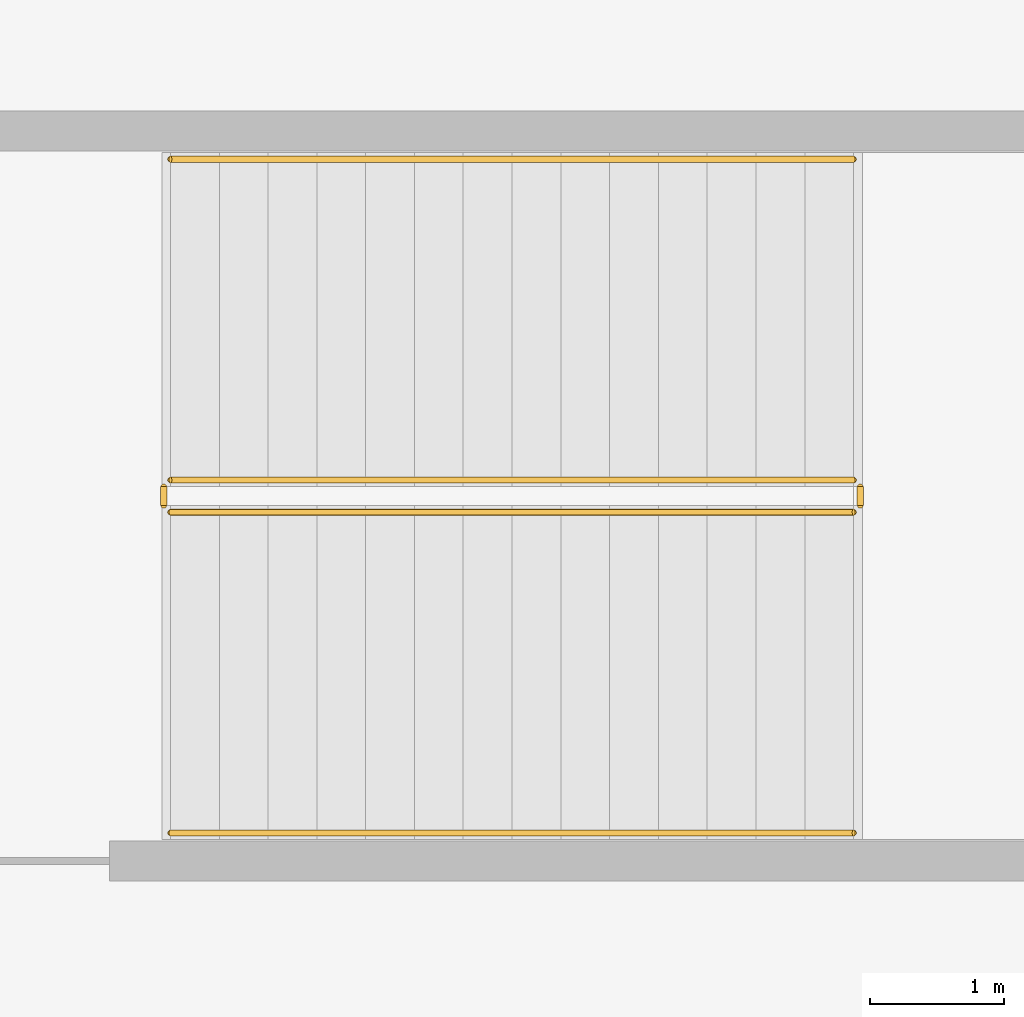
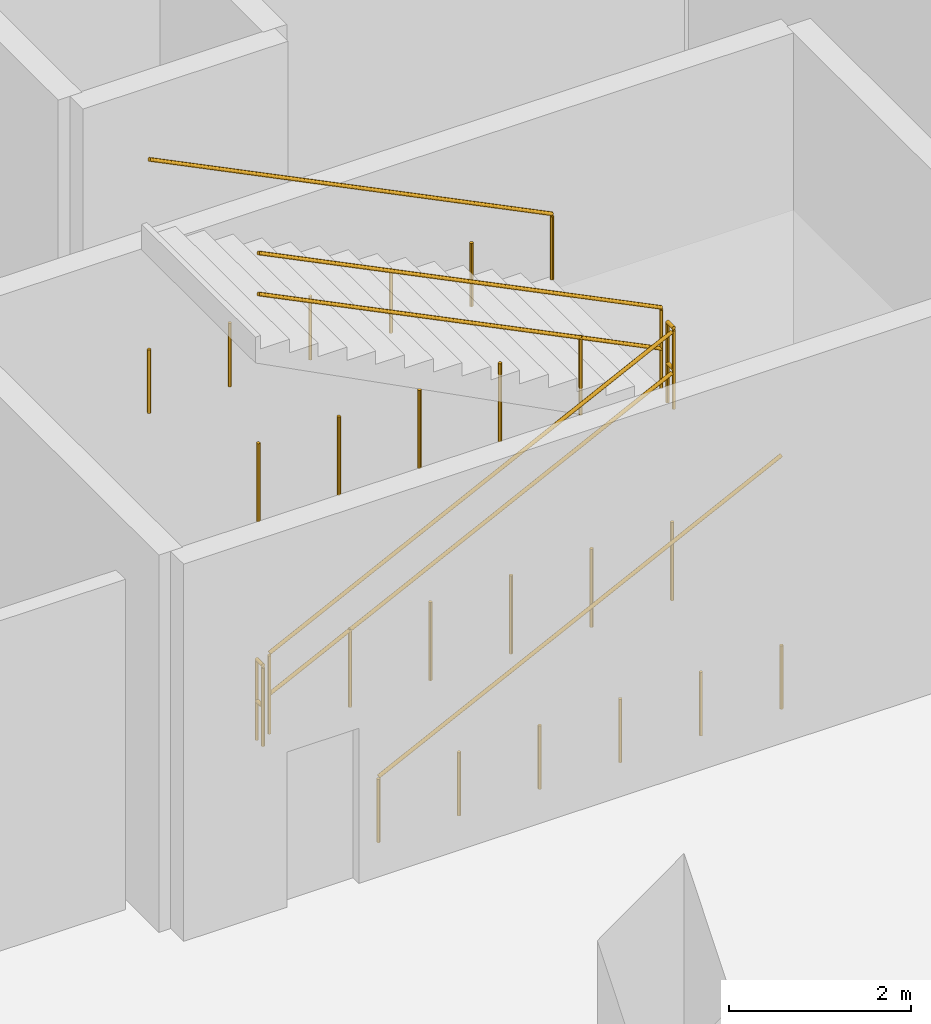
# One storey, part 43 of 44: 6 railings.
"""IFC4 building model written with IfcOpenShell, lengths in metres."""

from ifc_helpers import new_model, si_unit, direction, frame, origin, origin_2d, place, context, subcontext, project, spatial, circle, extrude, material, type_object, element, save


model = new_model("IFC4")

# Units and contexts
model_context = context("Model", 3, precision=1e-05, world=origin(), true_north=direction((0.0, 1.0)))
body_context = subcontext(model_context, "Body", "Model", "MODEL_VIEW")
ifc_project = project(units=[si_unit("LENGTHUNIT", "METRE"), si_unit("AREAUNIT", "SQUARE_METRE"), si_unit("VOLUMEUNIT", "CUBIC_METRE"), si_unit("PLANEANGLEUNIT", "RADIAN"), si_unit("MASSUNIT", "GRAM", prefix="KILO")], contexts=[model_context])

# Site, building, storey
site_placement = place(None, origin())
site = spatial("IfcSite", under=ifc_project, at=site_placement, CompositionType="ELEMENT")
building_placement = place(site_placement, origin())
building = spatial("IfcBuilding", under=site, at=building_placement, Name="Danafjord Basin Convention Centre", CompositionType="ELEMENT")
storey_placement = place(building_placement, frame((0.0, 0.0, -5.39990234375)))
storey = spatial("IfcBuildingStorey", under=building, at=storey_placement, Name="B1", CompositionType="ELEMENT", Elevation=-5.39990234375)

# Railings
ifc_material_1 = material(Name="Galvanised steel S355", Category="steel")
railing_type_1 = type_object("IfcRailingType", Name="RL-GD-WELL", PredefinedType="BALUSTRADE", material=ifc_material_1)
railing_1_placement = place(storey_placement, frame((191.47998046875, 119.81005859375, 0.179931640625)))
element("IfcRailing", 1, at=railing_1_placement, inside=storey, type_object=railing_type_1, Name="B1 ST-11 stair guard 1", PredefinedType="BALUSTRADE", context=body_context, shape_type="SweptSolid", body=[
    extrude(circle(Radius=0.02392578125, at=origin_2d()), frame((0.0, 0.0, 1.076171875), z_axis=(0.896873198966, 0.0, 0.442287762635), x_axis=(0.0, 1.0, 0.0)), (0.0, 0.0, 1.0), 5.69775390625),
    extrude(circle(Radius=0.02392578125, at=origin_2d()), frame((0.0, 0.0, 0.52587890625), z_axis=(0.896873198966, 0.0, 0.442287762635), x_axis=(0.0, 1.0, 0.0)), (0.0, 0.0, 1.0), 5.69775390625),
    extrude(circle(Radius=0.02099609375, at=origin_2d()), origin(), (0.0, 0.0, 1.0), 1.050048828125),
    extrude(circle(Radius=0.02099609375, at=origin_2d()), frame((1.02197265625, 0.0, 0.0)), (0.0, 0.0, 1.0), 1.050048828125),
    extrude(circle(Radius=0.02099609375, at=origin_2d()), frame((2.0439453125, 0.0, 0.0)), (0.0, 0.0, 1.0), 1.050048828125),
    extrude(circle(Radius=0.02099609375, at=origin_2d()), frame((3.066162109375, 0.0, 0.0)), (0.0, 0.0, 1.0), 1.050048828125),
    extrude(circle(Radius=0.02099609375, at=origin_2d()), frame((4.088134765625, 0.0, 0.0)), (0.0, 0.0, 1.0), 1.050048828125),
    extrude(circle(Radius=0.02099609375, at=origin_2d()), frame((5.110107421875, 0.0, 0.0)), (0.0, 0.0, 1.0), 1.050048828125),
])
railing_2_placement = place(storey_placement, frame((196.639892578125, 119.860107421875, 2.699951171875)))
element("IfcRailing", 2, at=railing_2_placement, inside=storey, type_object=railing_type_1, Name="B1 ST-11 stair guard 2", PredefinedType="BALUSTRADE", context=body_context, shape_type="SweptSolid", body=[
    extrude(circle(Radius=0.02392578125, at=origin_2d()), frame((0.0, 0.0, 1.076171875), z_axis=(0.0, 1.0, 0.0), x_axis=(-1.0, 0.0, 0.0)), (0.0, 0.0, 1.0), 0.139892578125),
    extrude(circle(Radius=0.02392578125, at=origin_2d()), frame((0.0, 0.0, 0.52587890625), z_axis=(0.0, 1.0, 0.0), x_axis=(-1.0, 0.0, 0.0)), (0.0, 0.0, 1.0), 0.139892578125),
    extrude(circle(Radius=0.02099609375, at=origin_2d()), origin(), (0.0, 0.0, 1.0), 1.050048828125),
    extrude(circle(Radius=0.02099609375, at=origin_2d()), frame((0.0, 0.139892578125, 0.0)), (0.0, 0.0, 1.0), 1.050048828125),
])
railing_3_placement = place(storey_placement, frame((196.590087890625, 120.050048828125, 2.8798828125)))
element("IfcRailing", 3, at=railing_3_placement, inside=storey, type_object=railing_type_1, Name="B1 ST-11 stair guard 3", PredefinedType="BALUSTRADE", context=body_context, shape_type="SweptSolid", body=[
    extrude(circle(Radius=0.02392578125, at=origin_2d()), frame((0.0, 0.0, 1.076171875), z_axis=(-0.896873198966, 0.0, 0.442287762635), x_axis=(0.0, -1.0, 0.0)), (0.0, 0.0, 1.0), 5.69775390625),
    extrude(circle(Radius=0.02392578125, at=origin_2d()), frame((0.0, 0.0, 0.52587890625), z_axis=(-0.896873198966, 0.0, 0.442287762635), x_axis=(0.0, -1.0, 0.0)), (0.0, 0.0, 1.0), 5.69775390625),
    extrude(circle(Radius=0.02099609375, at=origin_2d()), origin(), (0.0, 0.0, 1.0), 1.050048828125),
    extrude(circle(Radius=0.02099609375, at=origin_2d()), frame((-1.02197265625, 0.0, 0.0)), (0.0, 0.0, 1.0), 1.050048828125),
    extrude(circle(Radius=0.02099609375, at=origin_2d()), frame((-2.0439453125, 0.0, 0.0)), (0.0, 0.0, 1.0), 1.050048828125),
    extrude(circle(Radius=0.02099609375, at=origin_2d()), frame((-3.066162109375, 0.0, 0.0)), (0.0, 0.0, 1.0), 1.050048828125),
    extrude(circle(Radius=0.02099609375, at=origin_2d()), frame((-4.088134765625, 0.0, 0.0)), (0.0, 0.0, 1.0), 1.050048828125),
    extrude(circle(Radius=0.02099609375, at=origin_2d()), frame((-5.110107421875, 0.0, 0.0)), (0.0, 0.0, 1.0), 1.050048828125),
])
railing_4_placement = place(storey_placement, frame((191.429931640625, 119.860107421875, 0.0)))
element("IfcRailing", 4, at=railing_4_placement, inside=storey, type_object=railing_type_1, Name="B1 ST-11 stair guard 4", PredefinedType="BALUSTRADE", context=body_context, shape_type="SweptSolid", body=[
    extrude(circle(Radius=0.02392578125, at=origin_2d()), frame((0.0, 0.0, 1.076171875), z_axis=(0.0, 1.0, 0.0), x_axis=(-1.0, 0.0, 0.0)), (0.0, 0.0, 1.0), 0.139892578125),
    extrude(circle(Radius=0.02392578125, at=origin_2d()), frame((0.0, 0.0, 0.52587890625), z_axis=(0.0, 1.0, 0.0), x_axis=(-1.0, 0.0, 0.0)), (0.0, 0.0, 1.0), 0.139892578125),
    extrude(circle(Radius=0.02099609375, at=origin_2d()), origin(), (0.0, 0.0, 1.0), 1.050048828125),
    extrude(circle(Radius=0.02099609375, at=origin_2d()), frame((0.0, 0.139892578125, 0.0)), (0.0, 0.0, 1.0), 1.050048828125),
])
ifc_material_2 = material(Name="Brushed stainless steel EN 1.4404", Category="steel")
railing_type_2 = type_object("IfcRailingType", Name="RL-HR-STAIR", PredefinedType="HANDRAIL", material=ifc_material_2)
railing_5_placement = place(storey_placement, frame((191.47998046875, 117.409912109375, 0.179931640625)))
element("IfcRailing", 5, at=railing_5_placement, inside=storey, type_object=railing_type_2, Name="B1 ST-11 stair handrail 1", PredefinedType="HANDRAIL", context=body_context, shape_type="SweptSolid", body=[
    extrude(circle(Radius=0.02392578125, at=origin_2d()), frame((0.0, 0.0, 0.8759765625), z_axis=(0.896873198966, 0.0, 0.442287762635), x_axis=(0.0, 1.0, 0.0)), (0.0, 0.0, 1.0), 5.69775390625),
    extrude(circle(Radius=0.02099609375, at=origin_2d()), origin(), (0.0, 0.0, 1.0), 0.849853515625),
    extrude(circle(Radius=0.02099609375, at=origin_2d()), frame((1.02197265625, 0.0, 0.0)), (0.0, 0.0, 1.0), 0.849853515625),
    extrude(circle(Radius=0.02099609375, at=origin_2d()), frame((2.0439453125, 0.0, 0.0)), (0.0, 0.0, 1.0), 0.849853515625),
    extrude(circle(Radius=0.02099609375, at=origin_2d()), frame((3.066162109375, 0.0, 0.0)), (0.0, 0.0, 1.0), 0.849853515625),
    extrude(circle(Radius=0.02099609375, at=origin_2d()), frame((4.088134765625, 0.0, 0.0)), (0.0, 0.0, 1.0), 0.849853515625),
    extrude(circle(Radius=0.02099609375, at=origin_2d()), frame((5.110107421875, 0.0, 0.0)), (0.0, 0.0, 1.0), 0.849853515625),
])
railing_6_placement = place(storey_placement, frame((196.590087890625, 122.449951171875, 2.8798828125)))
element("IfcRailing", 6, at=railing_6_placement, inside=storey, type_object=railing_type_2, Name="B1 ST-11 stair handrail 2", PredefinedType="HANDRAIL", context=body_context, shape_type="SweptSolid", body=[
    extrude(circle(Radius=0.02392578125, at=origin_2d()), frame((0.0, 0.0, 0.8759765625), z_axis=(-0.896873198966, 0.0, 0.442287762635), x_axis=(0.0, -1.0, 0.0)), (0.0, 0.0, 1.0), 5.69775390625),
    extrude(circle(Radius=0.02099609375, at=origin_2d()), origin(), (0.0, 0.0, 1.0), 0.849853515625),
    extrude(circle(Radius=0.02099609375, at=origin_2d()), frame((-1.02197265625, 0.0, 0.0)), (0.0, 0.0, 1.0), 0.849853515625),
    extrude(circle(Radius=0.02099609375, at=origin_2d()), frame((-2.0439453125, 0.0, 0.0)), (0.0, 0.0, 1.0), 0.849853515625),
    extrude(circle(Radius=0.02099609375, at=origin_2d()), frame((-3.066162109375, 0.0, 0.0)), (0.0, 0.0, 1.0), 0.849853515625),
    extrude(circle(Radius=0.02099609375, at=origin_2d()), frame((-4.088134765625, 0.0, 0.0)), (0.0, 0.0, 1.0), 0.849853515625),
    extrude(circle(Radius=0.02099609375, at=origin_2d()), frame((-5.110107421875, 0.0, 0.0)), (0.0, 0.0, 1.0), 0.849853515625),
])

save(model, "model.ifc")
